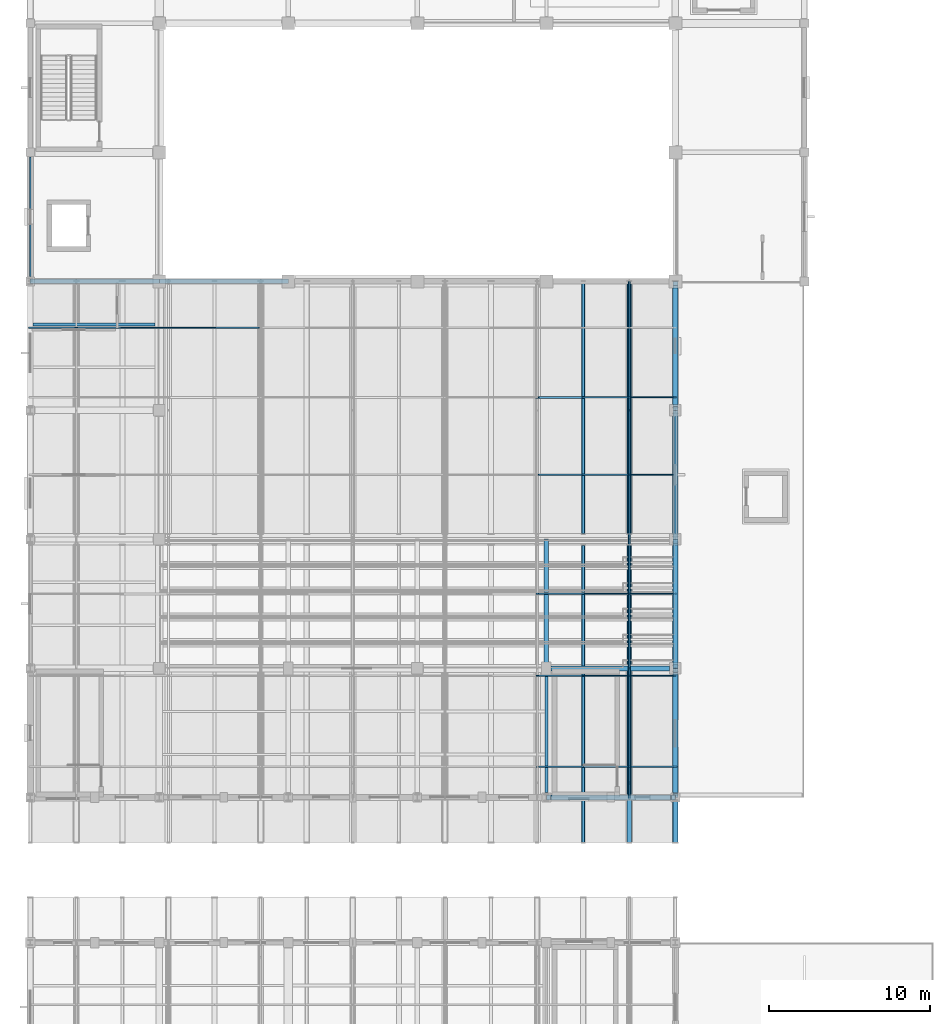
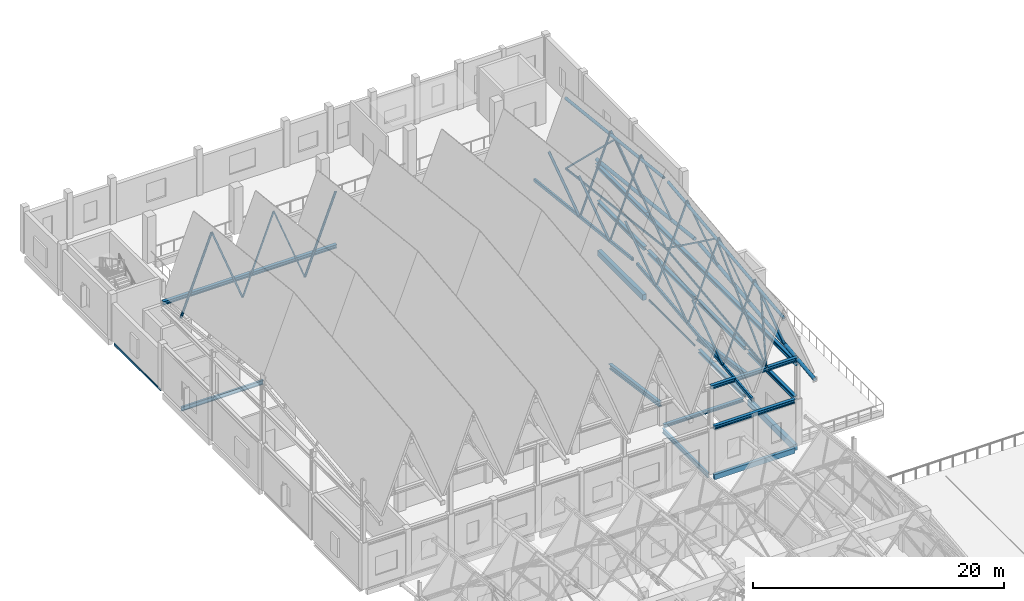
# One storey, part 18 of 77: 29 beams, 27 members.
"""IFC4 building model written with IfcOpenShell, lengths in metres."""

from ifc_helpers import new_model, si_unit, direction, frame, origin, origin_2d, place, context, subcontext, project, spatial, rectangle, hollow_rectangle, hollow_circle, i_section, extrude, material, material_profile, profile_set, type_object, element, save


model = new_model("IFC4")

# Units and contexts
model_context = context("Model", 3, precision=1e-05, world=origin(), true_north=direction((0.0, 1.0)))
body_context = subcontext(model_context, "Body", "Model", "MODEL_VIEW")
ifc_project = project(units=[si_unit("LENGTHUNIT", "METRE"), si_unit("AREAUNIT", "SQUARE_METRE"), si_unit("VOLUMEUNIT", "CUBIC_METRE"), si_unit("PLANEANGLEUNIT", "RADIAN"), si_unit("MASSUNIT", "GRAM", prefix="KILO")], contexts=[model_context])

# Site, building, storey
site_placement = place(None, origin())
site = spatial("IfcSite", under=ifc_project, at=site_placement, CompositionType="ELEMENT")
building_placement = place(site_placement, origin())
building = spatial("IfcBuilding", under=site, at=building_placement, Name="Luwemba Playhouse", CompositionType="ELEMENT")
storey_placement = place(building_placement, frame((0.0, 0.0, 9.300048828125)))
storey = spatial("IfcBuildingStorey", under=building, at=storey_placement, Name="L02", CompositionType="ELEMENT", Elevation=9.300048828125)

# Beams
ifc_material_1 = material(Name="Steel S355", Category="steel")
ifc_material_profile_1 = material_profile(ifc_material_1, i_section(OverallWidth=0.300048828125, OverallDepth=0.449951171875, WebThickness=0.013916015625, FlangeThickness=0.02587890625, FilletRadius=0.027099609375, at=origin_2d()))
ifc_profile_set_1 = profile_set([ifc_material_profile_1], Name="Steel S355")
beam_type_1 = type_object("IfcBeamType", Name="BM-RK2", PredefinedType="USERDEFINED", material=ifc_profile_set_1)
for number, where, z_axis, x_axis, name in (
    (1, (36.0, 44.0, 1.804931640625), (0.0, 0.990343904486, -0.138632430721), (-1.0, 0.0, 0.0), "RAKER girder Upper Circle 14"),
    (2, (44.0, 44.0, 1.804931640625), (0.0, 0.990343904486, -0.138632430721), (-1.0, 0.0, 0.0), "RAKER girder Upper Circle 15"),
):
    element("IfcBeam", number, at=place(storey_placement, frame(where, z_axis=z_axis, x_axis=x_axis)), inside=storey, type_object=beam_type_1, Name=name, ObjectType="RAKER", PredefinedType="USERDEFINED", context=body_context, shape_type="SweptSolid", body=[
        extrude(i_section(OverallWidth=0.300048828125, OverallDepth=0.449951171875, WebThickness=0.013916015625, FlangeThickness=0.02587890625, FilletRadius=0.027099609375, at=origin_2d()), origin(), (0.0, 0.0, 1.0), 8.077880859375),
    ])
ifc_material_profile_2 = material_profile(ifc_material_1, hollow_rectangle(XDim=0.199951171875, YDim=0.300048828125, WallThickness=0.012451171875, InnerFilletRadius=0.018798828125, OuterFilletRadius=0.03125, at=origin_2d()))
ifc_profile_set_2 = profile_set([ifc_material_profile_2], Name="Steel S355")
beam_type_2 = type_object("IfcBeamType", Name="BM-RTG2", PredefinedType="USERDEFINED", material=ifc_profile_set_2)
beam_1_placement = place(storey_placement, frame((38.28564453125, 33.199951171875, 7.975830078125), z_axis=(0.0, 0.993767403215, 0.111473531871), x_axis=(-1.0, 0.0, 0.0)))
element("IfcBeam", 3, at=beam_1_placement, inside=storey, type_object=beam_type_2, Name="ROOF TRUSS valley girder 0046", ObjectType="ROOF TRUSS", PredefinedType="USERDEFINED", context=body_context, shape_type="SweptSolid", body=[
    extrude(hollow_rectangle(XDim=0.199951171875, YDim=0.300048828125, WallThickness=0.012451171875, InnerFilletRadius=0.018798828125, OuterFilletRadius=0.03125, at=origin_2d()), origin(), (0.0, 0.0, 1.0), 18.565673828125),
])
beam_2_placement = place(storey_placement, frame((38.28564453125, 52.35009765625, 10.04541015625), z_axis=(0.0, 0.993768247759, -0.111466002643), x_axis=(-1.0, 0.0, 0.0)))
element("IfcBeam", 4, at=beam_2_placement, inside=storey, type_object=beam_type_2, Name="ROOF TRUSS valley girder 0047", ObjectType="ROOF TRUSS", PredefinedType="USERDEFINED", context=body_context, shape_type="SweptSolid", body=[
    extrude(hollow_rectangle(XDim=0.199951171875, YDim=0.300048828125, WallThickness=0.012451171875, InnerFilletRadius=0.018798828125, OuterFilletRadius=0.03125, at=origin_2d()), origin(), (0.0, 0.0, 1.0), 15.748046875),
])
ifc_material_profile_3 = material_profile(ifc_material_1, hollow_circle(Radius=0.136474609375, WallThickness=0.012451171875, at=origin_2d()))
ifc_profile_set_3 = profile_set([ifc_material_profile_3], Name="Steel S355")
beam_type_3 = type_object("IfcBeamType", Name="BM-RTG3", PredefinedType="USERDEFINED", material=ifc_profile_set_3)
beam_3_placement = place(storey_placement, frame((41.142822265625, 33.199951171875, 14.927001953125), z_axis=(0.0, 0.993767403215, 0.111473531871), x_axis=(-1.0, 0.0, 0.0)))
element("IfcBeam", 5, at=beam_3_placement, inside=storey, type_object=beam_type_3, Name="ROOF TRUSS ridge girder 0048", ObjectType="ROOF TRUSS", PredefinedType="USERDEFINED", context=body_context, shape_type="SweptSolid", body=[
    extrude(hollow_circle(Radius=0.136474609375, WallThickness=0.012451171875, at=origin_2d()), origin(), (0.0, 0.0, 1.0), 18.565673828125),
])
beam_4_placement = place(storey_placement, frame((41.142822265625, 52.35009765625, 16.99658203125), z_axis=(0.0, 0.993768247759, -0.111466002643), x_axis=(-1.0, 0.0, 0.0)))
element("IfcBeam", 6, at=beam_4_placement, inside=storey, type_object=beam_type_3, Name="ROOF TRUSS ridge girder 0049", ObjectType="ROOF TRUSS", PredefinedType="USERDEFINED", context=body_context, shape_type="SweptSolid", body=[
    extrude(hollow_circle(Radius=0.136474609375, WallThickness=0.012451171875, at=origin_2d()), origin(), (0.0, 0.0, 1.0), 15.748046875),
])
ifc_material_profile_4 = material_profile(ifc_material_1, hollow_circle(Radius=0.161865234375, WallThickness=0.01611328125, at=origin_2d()))
ifc_profile_set_4 = profile_set([ifc_material_profile_4], Name="Steel S355")
beam_type_4 = type_object("IfcBeamType", Name="BM-RTG4", PredefinedType="USERDEFINED", material=ifc_profile_set_4)
beam_5_placement = place(storey_placement, frame((44.0, 33.199951171875, 7.9638671875), z_axis=(0.0, 0.993767403215, 0.111473531871), x_axis=(-1.0, 0.0, 0.0)))
element("IfcBeam", 7, at=beam_5_placement, inside=storey, type_object=beam_type_4, Name="ROOF TRUSS valley girder 0050", ObjectType="ROOF TRUSS", PredefinedType="USERDEFINED", context=body_context, shape_type="SweptSolid", body=[
    extrude(hollow_circle(Radius=0.161865234375, WallThickness=0.01611328125, at=origin_2d()), origin(), (0.0, 0.0, 1.0), 18.565673828125),
])
beam_6_placement = place(storey_placement, frame((44.0, 52.35009765625, 10.033447265625), z_axis=(0.0, 0.993766530365, -0.111481312905), x_axis=(-1.0, 0.0, 0.0)))
element("IfcBeam", 8, at=beam_6_placement, inside=storey, type_object=beam_type_4, Name="ROOF TRUSS valley girder 0051", ObjectType="ROOF TRUSS", PredefinedType="USERDEFINED", context=body_context, shape_type="SweptSolid", body=[
    extrude(hollow_circle(Radius=0.161865234375, WallThickness=0.01611328125, at=origin_2d()), origin(), (0.0, 0.0, 1.0), 15.748046875),
])
ifc_material_profile_5 = material_profile(ifc_material_1, i_section(OverallWidth=0.300048828125, OverallDepth=0.2900390625, WebThickness=0.008544921875, FlangeThickness=0.013916015625, FilletRadius=0.027099609375, at=origin_2d()))
ifc_profile_set_5 = profile_set([ifc_material_profile_5], Name="Steel S355")
beam_type_5 = type_object("IfcBeamType", Name="BM-SB03", PredefinedType="BEAM", material=ifc_profile_set_5)
beam_7_placement = place(storey_placement, frame((36.300048828125, 44.0, -0.39501953125), z_axis=(1.0, 0.0, 0.0), x_axis=(0.0, 1.0, 0.0)))
element("IfcBeam", 9, at=beam_7_placement, inside=storey, type_object=beam_type_5, Name="L02 grid girder 0649", PredefinedType="BEAM", context=body_context, shape_type="SweptSolid", body=[
    extrude(i_section(OverallWidth=0.300048828125, OverallDepth=0.2900390625, WebThickness=0.008544921875, FlangeThickness=0.013916015625, FilletRadius=0.027099609375, at=origin_2d()), origin(), (0.0, 0.0, 1.0), 7.324951171875),
])
ifc_material_profile_6 = material_profile(ifc_material_1, i_section(OverallWidth=0.18994140625, OverallDepth=0.449951171875, WebThickness=0.009521484375, FlangeThickness=0.0146484375, FilletRadius=0.02099609375, at=origin_2d()))
ifc_profile_set_6 = profile_set([ifc_material_profile_6], Name="Steel S355")
beam_type_6 = type_object("IfcBeamType", Name="BM-SB06", PredefinedType="BEAM", material=ifc_profile_set_6)
beam_8_placement = place(storey_placement, frame((36.0, 36.300048828125, -0.47509765625), z_axis=(0.0, 1.0, 0.0), x_axis=(-1.0, 0.0, 0.0)))
element("IfcBeam", 10, at=beam_8_placement, inside=storey, type_object=beam_type_6, Name="L02 transverse girder 0664", PredefinedType="BEAM", context=body_context, shape_type="SweptSolid", body=[
    extrude(i_section(OverallWidth=0.18994140625, OverallDepth=0.449951171875, WebThickness=0.009521484375, FlangeThickness=0.0146484375, FilletRadius=0.02099609375, at=origin_2d()), origin(), (0.0, 0.0, 1.0), 7.300048828125),
])
ifc_material_profile_7 = material_profile(ifc_material_1, i_section(OverallWidth=0.300048828125, OverallDepth=0.360107421875, WebThickness=0.012451171875, FlangeThickness=0.0224609375, FilletRadius=0.027099609375, at=origin_2d()))
ifc_profile_set_7 = profile_set([ifc_material_profile_7], Name="Steel S355")
beam_type_7 = type_object("IfcBeamType", Name="BM-SB09", PredefinedType="BEAM", material=ifc_profile_set_7)
for number, where, z_axis, x_axis, name in (
    (11, (36.25, 36.0, 4.320068359375), (1.0, 0.0, 0.0), (0.0, 1.0, 0.0), "L02 V1 auditorium clerestory spandrel beam 09"),
    (12, (44.0, 36.25, 4.320068359375), (0.0, 1.0, 0.0), (-1.0, 0.0, 0.0), "L02 V1 auditorium clerestory spandrel beam 10"),
    (13, (44.0, 44.25, 4.320068359375), (0.0, 1.0, 0.0), (-1.0, 0.0, 0.0), "L02 V1 auditorium clerestory spandrel beam 11"),
    (14, (44.0, 52.25, 4.320068359375), (0.0, 1.0, 0.0), (-1.0, 0.0, 0.0), "L02 V1 auditorium clerestory spandrel beam 12"),
    (15, (44.0, 60.25, 4.320068359375), (0.0, 1.0, 0.0), (-1.0, 0.0, 0.0), "L02 V1 auditorium clerestory spandrel beam 13"),
):
    element("IfcBeam", number, at=place(storey_placement, frame(where, z_axis=z_axis, x_axis=x_axis)), inside=storey, type_object=beam_type_7, Name=name, PredefinedType="BEAM", context=body_context, shape_type="SweptSolid", body=[
        extrude(i_section(OverallWidth=0.300048828125, OverallDepth=0.360107421875, WebThickness=0.012451171875, FlangeThickness=0.0224609375, FilletRadius=0.027099609375, at=origin_2d()), origin(), (0.0, 0.0, 1.0), 7.5),
    ])
for number, where, z_axis, x_axis, name in (
    (16, (36.0, 36.0, 8.320068359375), (1.0, 0.0, 0.0), (0.0, 1.0, 0.0), "RF-V1 eave ring beam 0005"),
    (17, (4.0, 68.0, 8.320068359375), (1.0, 0.0, 0.0), (0.0, 1.0, 0.0), "RF-V1 eave ring beam 0006"),
    (18, (12.0, 68.0, 8.320068359375), (1.0, 0.0, 0.0), (0.0, 1.0, 0.0), "RF-V1 eave ring beam 0007"),
    (19, (44.0, 36.0, 7.780029296875), (0.0, 1.0, 0.0), (-1.0, 0.0, 0.0), "RF-V1 gable ring beam 0015"),
    (20, (44.0, 44.0, 7.780029296875), (0.0, 1.0, 0.0), (-1.0, 0.0, 0.0), "RF-V1 gable ring beam 0016"),
    (21, (44.0, 52.0, 7.780029296875), (0.0, 1.0, 0.0), (-1.0, 0.0, 0.0), "RF-V1 gable ring beam 0017"),
    (22, (44.0, 60.0, 7.780029296875), (0.0, 1.0, 0.0), (-1.0, 0.0, 0.0), "RF-V1 gable ring beam 0018"),
):
    element("IfcBeam", number, at=place(storey_placement, frame(where, z_axis=z_axis, x_axis=x_axis)), inside=storey, type_object=beam_type_7, Name=name, PredefinedType="BEAM", context=body_context, shape_type="SweptSolid", body=[
        extrude(i_section(OverallWidth=0.300048828125, OverallDepth=0.360107421875, WebThickness=0.012451171875, FlangeThickness=0.0224609375, FilletRadius=0.027099609375, at=origin_2d()), origin(), (0.0, 0.0, 1.0), 8.0),
    ])
ifc_material_profile_8 = material_profile(ifc_material_1, i_section(OverallWidth=0.179931640625, OverallDepth=0.39990234375, WebThickness=0.008544921875, FlangeThickness=0.013427734375, FilletRadius=0.02099609375, at=origin_2d()))
ifc_profile_set_8 = profile_set([ifc_material_profile_8], Name="Steel S355")
beam_type_8 = type_object("IfcBeamType", Name="BM-SJ08", PredefinedType="JOIST", material=ifc_profile_set_8)
beam_9_placement = place(storey_placement, frame((4.1708984375, 65.333251953125, -0.449951171875), z_axis=(1.0, 0.0, 0.0), x_axis=(0.0, 1.0, 0.0)))
element("IfcBeam", 23, at=beam_9_placement, inside=storey, type_object=beam_type_8, Name="L02 composite floor joist 0392", PredefinedType="JOIST", context=body_context, shape_type="SweptSolid", body=[
    extrude(i_section(OverallWidth=0.179931640625, OverallDepth=0.39990234375, WebThickness=0.008544921875, FlangeThickness=0.013427734375, FilletRadius=0.02099609375, at=origin_2d()), origin(), (0.0, 0.0, 1.0), 7.55810546875),
])
ifc_material_2 = material(Name="Concrete C40/50", Category="concrete")
ifc_material_profile_9 = material_profile(ifc_material_2, rectangle(XDim=0.300048828125, YDim=0.5, at=origin_2d()))
ifc_profile_set_9 = profile_set([ifc_material_profile_9], Name="Concrete C40/50")
beam_type_9 = type_object("IfcBeamType", Name="BM-SP1", PredefinedType="SPANDREL", material=ifc_profile_set_9)
beam_10_placement = place(storey_placement, frame((36.300048828125, 36.0, -0.5), z_axis=(1.0, 0.0, 0.0), x_axis=(0.0, 1.0, 0.0)))
element("IfcBeam", 24, at=beam_10_placement, inside=storey, type_object=beam_type_9, Name="L02 grid girder 0644", PredefinedType="SPANDREL", context=body_context, shape_type="SweptSolid", body=[
    extrude(rectangle(XDim=0.300048828125, YDim=0.5, at=origin_2d()), origin(), (0.0, 0.0, 1.0), 7.39990234375),
])
ifc_material_profile_10 = material_profile(ifc_material_2, rectangle(XDim=0.35009765625, YDim=0.550048828125, at=origin_2d()))
ifc_profile_set_10 = profile_set([ifc_material_profile_10], Name="Concrete C40/50")
beam_type_10 = type_object("IfcBeamType", Name="BM-SP2", PredefinedType="SPANDREL", material=ifc_profile_set_10)
beam_11_placement = place(storey_placement, frame((44.0, 60.375, -0.525146484375), z_axis=(0.0, 1.0, 0.0), x_axis=(-1.0, 0.0, 0.0)))
element("IfcBeam", 25, at=beam_11_placement, inside=storey, type_object=beam_type_10, Name="L02 transverse girder 0668", PredefinedType="SPANDREL", context=body_context, shape_type="SweptSolid", body=[
    extrude(rectangle(XDim=0.35009765625, YDim=0.550048828125, at=origin_2d()), origin(), (0.0, 0.0, 1.0), 7.199951171875),
])
ifc_material_profile_11 = material_profile(ifc_material_2, rectangle(XDim=0.35009765625, YDim=0.60009765625, at=origin_2d()))
ifc_profile_set_11 = profile_set([ifc_material_profile_11], Name="Concrete C40/50")
beam_type_11 = type_object("IfcBeamType", Name="BM-SP3", PredefinedType="SPANDREL", material=ifc_profile_set_11)
beam_12_placement = place(storey_placement, frame((44.0, 36.300048828125, -0.550048828125), z_axis=(0.0, 1.0, 0.0), x_axis=(-1.0, 0.0, 0.0)))
element("IfcBeam", 26, at=beam_12_placement, inside=storey, type_object=beam_type_11, Name="L02 transverse girder 0665", PredefinedType="SPANDREL", context=body_context, shape_type="SweptSolid", body=[
    extrude(rectangle(XDim=0.35009765625, YDim=0.60009765625, at=origin_2d()), origin(), (0.0, 0.0, 1.0), 7.324951171875),
])
ifc_material_profile_12 = material_profile(ifc_material_1, i_section(OverallWidth=0.300048828125, OverallDepth=0.300048828125, WebThickness=0.010986328125, FlangeThickness=0.01904296875, FilletRadius=0.027099609375, at=origin_2d()))
ifc_profile_set_12 = profile_set([ifc_material_profile_12], Name="Steel S355")
beam_type_12 = type_object("IfcBeamType", Name="BM-SSP1", PredefinedType="SPANDREL", material=ifc_profile_set_12)
beam_13_placement = place(storey_placement, frame((44.0, 44.375, -0.400146484375), z_axis=(0.0, 1.0, 0.0), x_axis=(-1.0, 0.0, 0.0)))
element("IfcBeam", 27, at=beam_13_placement, inside=storey, type_object=beam_type_12, Name="L02 transverse girder 0666", PredefinedType="SPANDREL", context=body_context, shape_type="SweptSolid", body=[
    extrude(i_section(OverallWidth=0.300048828125, OverallDepth=0.300048828125, WebThickness=0.010986328125, FlangeThickness=0.01904296875, FilletRadius=0.027099609375, at=origin_2d()), origin(), (0.0, 0.0, 1.0), 7.25),
])
ifc_material_profile_13 = material_profile(ifc_material_1, hollow_rectangle(XDim=0.10009765625, YDim=0.199951171875, WallThickness=0.008056640625, InnerFilletRadius=0.011962890625, OuterFilletRadius=0.02001953125, at=origin_2d()))
ifc_profile_set_13 = profile_set([ifc_material_profile_13], Name="Steel S355")
beam_type_13 = type_object("IfcBeamType", Name="BM-SSP2", PredefinedType="SPANDREL", material=ifc_profile_set_13)
beam_14_placement = place(storey_placement, frame((44.0, 52.375, -0.35009765625), z_axis=(0.0, 1.0, 0.0), x_axis=(-1.0, 0.0, 0.0)))
element("IfcBeam", 28, at=beam_14_placement, inside=storey, type_object=beam_type_13, Name="L02 transverse girder 0667", PredefinedType="SPANDREL", context=body_context, shape_type="SweptSolid", body=[
    extrude(hollow_rectangle(XDim=0.10009765625, YDim=0.199951171875, WallThickness=0.008056640625, InnerFilletRadius=0.011962890625, OuterFilletRadius=0.02001953125, at=origin_2d()), origin(), (0.0, 0.0, 1.0), 7.25),
])
beam_15_placement = place(storey_placement, frame((4.0, 68.300048828125, -0.35009765625), z_axis=(0.0, 1.0, 0.0), x_axis=(-1.0, 0.0, 0.0)))
element("IfcBeam", 29, at=beam_15_placement, inside=storey, type_object=beam_type_13, Name="L02 transverse girder 0683", PredefinedType="SPANDREL", context=body_context, shape_type="SweptSolid", body=[
    extrude(hollow_rectangle(XDim=0.10009765625, YDim=0.199951171875, WallThickness=0.008056640625, InnerFilletRadius=0.011962890625, OuterFilletRadius=0.02001953125, at=origin_2d()), origin(), (0.0, 0.0, 1.0), 7.39990234375),
])

# Members
ifc_material_profile_14 = material_profile(ifc_material_1, hollow_rectangle(XDim=0.139892578125, YDim=0.139892578125, WallThickness=0.008056640625, InnerFilletRadius=0.011962890625, OuterFilletRadius=0.02001953125, at=origin_2d()))
ifc_profile_set_14 = profile_set([ifc_material_profile_14], Name="Steel S355")
member_type_1 = type_object("IfcMemberType", Name="MEM-MB07", PredefinedType="BRACE", material=ifc_profile_set_14)
member_1_placement = place(storey_placement, frame((41.142822265625, 36.0, 8.39990234375), z_axis=(0.0, 0.718755230933, 0.695263200527), x_axis=(-1.0, 0.0, 0.0)))
element("IfcMember", 30, at=member_1_placement, inside=storey, type_object=member_type_1, Name="ROOF TRUSS web diagonal 0039", PredefinedType="BRACE", context=body_context, shape_type="SweptSolid", body=[
    extrude(hollow_rectangle(XDim=0.139892578125, YDim=0.139892578125, WallThickness=0.008056640625, InnerFilletRadius=0.011962890625, OuterFilletRadius=0.02001953125, at=origin_2d()), origin(), (0.0, 0.0, 1.0), 11.13037109375),
])
for number, where, z_axis, x_axis, name in (
    (31, (41.142822265625, 52.0, 10.314697265625), (0.0, -0.808469271153, 0.588538390933), (1.0, 0.0, 0.0), "ROOF TRUSS web diagonal 0040"),
    (32, (41.142822265625, 52.0, 10.314697265625), (0.0, 0.808469271153, 0.588538390933), (-1.0, 0.0, 0.0), "ROOF TRUSS web diagonal 0041"),
):
    element("IfcMember", number, at=place(storey_placement, frame(where, z_axis=z_axis, x_axis=x_axis)), inside=storey, type_object=member_type_1, Name=name, PredefinedType="BRACE", context=body_context, shape_type="SweptSolid", body=[
        extrude(hollow_rectangle(XDim=0.139892578125, YDim=0.139892578125, WallThickness=0.008056640625, InnerFilletRadius=0.011962890625, OuterFilletRadius=0.02001953125, at=origin_2d()), origin(), (0.0, 0.0, 1.0), 9.895263671875),
    ])
member_2_placement = place(storey_placement, frame((41.142822265625, 68.0, 8.39990234375), z_axis=(0.0, -0.718755230933, 0.695263200527), x_axis=(1.0, 0.0, 0.0)))
element("IfcMember", 33, at=member_2_placement, inside=storey, type_object=member_type_1, Name="ROOF TRUSS web diagonal 0042", PredefinedType="BRACE", context=body_context, shape_type="SweptSolid", body=[
    extrude(hollow_rectangle(XDim=0.139892578125, YDim=0.139892578125, WallThickness=0.008056640625, InnerFilletRadius=0.011962890625, OuterFilletRadius=0.02001953125, at=origin_2d()), origin(), (0.0, 0.0, 1.0), 11.13037109375),
])
member_3_placement = place(storey_placement, frame((41.142822265625, 36.0, 8.39990234375), z_axis=(0.0, 0.128553393461, 0.991702589), x_axis=(-1.0, 0.0, 0.0)))
element("IfcMember", 34, at=member_3_placement, inside=storey, type_object=member_type_1, Name="ROOF TRUSS eave knee strut 0007", PredefinedType="BRACE", context=body_context, shape_type="SweptSolid", body=[
    extrude(hollow_rectangle(XDim=0.139892578125, YDim=0.139892578125, WallThickness=0.008056640625, InnerFilletRadius=0.011962890625, OuterFilletRadius=0.02001953125, at=origin_2d()), origin(), (0.0, 0.0, 1.0), 7.000244140625),
])
ifc_material_profile_15 = material_profile(ifc_material_1, hollow_rectangle(XDim=0.1201171875, YDim=0.199951171875, WallThickness=0.010009765625, InnerFilletRadius=0.014892578125, OuterFilletRadius=0.02490234375, at=origin_2d()))
ifc_profile_set_15 = profile_set([ifc_material_profile_15], Name="Steel S355")
member_type_2 = type_object("IfcMemberType", Name="MEM-MC05", PredefinedType="CHORD", material=ifc_profile_set_15)
for number, where, z_axis, x_axis, name in (
    (35, (41.142822265625, 36.0, 8.39990234375), (0.0, 0.992914998684, 0.118826787333), (-1.0, 0.0, 0.0), "ROOF TRUSS south bottom chord 0037"),
    (36, (41.142822265625, 52.0, 10.314697265625), (0.0, 0.992914998684, -0.118826787333), (-1.0, 0.0, 0.0), "ROOF TRUSS north bottom chord 0038"),
):
    element("IfcMember", number, at=place(storey_placement, frame(where, z_axis=z_axis, x_axis=x_axis)), inside=storey, type_object=member_type_2, Name=name, PredefinedType="CHORD", context=body_context, shape_type="SweptSolid", body=[
        extrude(hollow_rectangle(XDim=0.1201171875, YDim=0.199951171875, WallThickness=0.010009765625, InnerFilletRadius=0.014892578125, OuterFilletRadius=0.02490234375, at=origin_2d()), origin(), (0.0, 0.0, 1.0), 16.1142578125),
    ])
ifc_material_profile_16 = material_profile(ifc_material_1, hollow_rectangle(XDim=0.080078125, YDim=0.1201171875, WallThickness=0.00634765625, InnerFilletRadius=0.009521484375, OuterFilletRadius=0.015869140625, at=origin_2d()))
ifc_profile_set_16 = profile_set([ifc_material_profile_16], Name="Steel S355")
member_type_3 = type_object("IfcMemberType", Name="MEM-MP01", PredefinedType="PURLIN", material=ifc_profile_set_16)
member_4_placement = place(storey_placement, frame((12.5712890625, 65.1201171875, 16.009765625), z_axis=(0.35998260376, 0.0, -0.932959015708), x_axis=(0.0, 1.0, 0.0)))
element("IfcMember", 37, at=member_4_placement, inside=storey, type_object=member_type_3, Name="Pleated roof purlin 0024", PredefinedType="PURLIN", context=body_context, shape_type="SweptSolid", body=[
    extrude(hollow_rectangle(XDim=0.080078125, YDim=0.1201171875, WallThickness=0.00634765625, InnerFilletRadius=0.009521484375, OuterFilletRadius=0.015869140625, at=origin_2d()), origin(), (0.0, 0.0, 1.0), 7.937744140625),
])
member_5_placement = place(storey_placement, frame((41.142822265625, 43.5400390625, 16.5322265625), z_axis=(0.359966161358, 0.0, -0.932965359849), x_axis=(0.0, 1.0, 0.0)))
element("IfcMember", 38, at=member_5_placement, inside=storey, type_object=member_type_3, Name="Pleated roof purlin 0080", PredefinedType="PURLIN", context=body_context, shape_type="SweptSolid", body=[
    extrude(hollow_rectangle(XDim=0.080078125, YDim=0.1201171875, WallThickness=0.00634765625, InnerFilletRadius=0.009521484375, OuterFilletRadius=0.015869140625, at=origin_2d()), origin(), (0.0, 0.0, 1.0), 7.937255859375),
])
ifc_material_profile_17 = material_profile(ifc_material_1, hollow_rectangle(XDim=0.10009765625, YDim=0.14990234375, WallThickness=0.008056640625, InnerFilletRadius=0.011962890625, OuterFilletRadius=0.02001953125, at=origin_2d()))
ifc_profile_set_17 = profile_set([ifc_material_profile_17], Name="Steel S355")
member_type_4 = type_object("IfcMemberType", Name="MEM-MP02", PredefinedType="PURLIN", material=ifc_profile_set_17)
member_6_placement = place(storey_placement, frame((38.28564453125, 37.89990234375, 8.453369140625), z_axis=(0.359955831838, 0.0, 0.932969345223), x_axis=(0.0, 1.0, 0.0)))
element("IfcMember", 39, at=member_6_placement, inside=storey, type_object=member_type_4, Name="Pleated roof purlin 0073", PredefinedType="PURLIN", context=body_context, shape_type="SweptSolid", body=[
    extrude(hollow_rectangle(XDim=0.10009765625, YDim=0.14990234375, WallThickness=0.008056640625, InnerFilletRadius=0.011962890625, OuterFilletRadius=0.02001953125, at=origin_2d()), origin(), (0.0, 0.0, 1.0), 7.9375),
])
member_7_placement = place(storey_placement, frame((41.142822265625, 48.615966796875, 17.060546875), z_axis=(0.359976491426, 0.0, -0.932961374131), x_axis=(0.0, 1.0, 0.0)))
element("IfcMember", 40, at=member_7_placement, inside=storey, type_object=member_type_4, Name="Pleated roof purlin 0081", PredefinedType="PURLIN", context=body_context, shape_type="SweptSolid", body=[
    extrude(hollow_rectangle(XDim=0.10009765625, YDim=0.14990234375, WallThickness=0.008056640625, InnerFilletRadius=0.011962890625, OuterFilletRadius=0.02001953125, at=origin_2d()), origin(), (0.0, 0.0, 1.0), 7.93701171875),
])
ifc_material_profile_18 = material_profile(ifc_material_1, hollow_rectangle(XDim=0.080078125, YDim=0.159912109375, WallThickness=0.00634765625, InnerFilletRadius=0.009521484375, OuterFilletRadius=0.015869140625, at=origin_2d()))
ifc_profile_set_18 = profile_set([ifc_material_profile_18], Name="Steel S355")
member_type_5 = type_object("IfcMemberType", Name="MEM-MP03", PredefinedType="PURLIN", material=ifc_profile_set_18)
member_8_placement = place(storey_placement, frame((9.71435546875, 65.1201171875, 8.58447265625), z_axis=(0.359949717536, 0.0, 0.932971704204), x_axis=(0.0, 1.0, 0.0)))
element("IfcMember", 41, at=member_8_placement, inside=storey, type_object=member_type_5, Name="Pleated roof purlin 0018", PredefinedType="PURLIN", context=body_context, shape_type="SweptSolid", body=[
    extrude(hollow_rectangle(XDim=0.080078125, YDim=0.159912109375, WallThickness=0.00634765625, InnerFilletRadius=0.009521484375, OuterFilletRadius=0.015869140625, at=origin_2d()), origin(), (0.0, 0.0, 1.0), 7.93701171875),
])
member_9_placement = place(storey_placement, frame((38.28564453125, 43.5400390625, 9.10693359375), z_axis=(0.359955831838, 0.0, 0.932969345223), x_axis=(0.0, 1.0, 0.0)))
element("IfcMember", 42, at=member_9_placement, inside=storey, type_object=member_type_5, Name="Pleated roof purlin 0074", PredefinedType="PURLIN", context=body_context, shape_type="SweptSolid", body=[
    extrude(hollow_rectangle(XDim=0.080078125, YDim=0.159912109375, WallThickness=0.00634765625, InnerFilletRadius=0.009521484375, OuterFilletRadius=0.015869140625, at=origin_2d()), origin(), (0.0, 0.0, 1.0), 7.9375),
])
member_10_placement = place(storey_placement, frame((41.142822265625, 56.0, 17.012451171875), z_axis=(0.359976491426, 0.0, -0.932961374131), x_axis=(0.0, 1.0, 0.0)))
element("IfcMember", 43, at=member_10_placement, inside=storey, type_object=member_type_5, Name="Pleated roof purlin 0082", PredefinedType="PURLIN", context=body_context, shape_type="SweptSolid", body=[
    extrude(hollow_rectangle(XDim=0.080078125, YDim=0.159912109375, WallThickness=0.00634765625, InnerFilletRadius=0.009521484375, OuterFilletRadius=0.015869140625, at=origin_2d()), origin(), (0.0, 0.0, 1.0), 7.93701171875),
])
ifc_material_profile_19 = material_profile(ifc_material_1, hollow_rectangle(XDim=0.10009765625, YDim=0.179931640625, WallThickness=0.008056640625, InnerFilletRadius=0.011962890625, OuterFilletRadius=0.02001953125, at=origin_2d()))
ifc_profile_set_19 = profile_set([ifc_material_profile_19], Name="Steel S355")
member_type_6 = type_object("IfcMemberType", Name="MEM-MP04", PredefinedType="PURLIN", material=ifc_profile_set_19)
member_11_placement = place(storey_placement, frame((35.4287109375, 37.89990234375, 15.84375), z_axis=(0.359939388007, 0.0, -0.932975689373), x_axis=(0.0, 1.0, 0.0)))
element("IfcMember", 44, at=member_11_placement, inside=storey, type_object=member_type_6, Name="Pleated roof purlin 0067", PredefinedType="PURLIN", context=body_context, shape_type="SweptSolid", body=[
    extrude(hollow_rectangle(XDim=0.10009765625, YDim=0.179931640625, WallThickness=0.008056640625, InnerFilletRadius=0.011962890625, OuterFilletRadius=0.02001953125, at=origin_2d()), origin(), (0.0, 0.0, 1.0), 7.937255859375),
])
member_12_placement = place(storey_placement, frame((38.28564453125, 48.615966796875, 9.640380859375), z_axis=(0.359955831838, 0.0, 0.932969345223), x_axis=(0.0, 1.0, 0.0)))
element("IfcMember", 45, at=member_12_placement, inside=storey, type_object=member_type_6, Name="Pleated roof purlin 0075", PredefinedType="PURLIN", context=body_context, shape_type="SweptSolid", body=[
    extrude(hollow_rectangle(XDim=0.10009765625, YDim=0.179931640625, WallThickness=0.008056640625, InnerFilletRadius=0.011962890625, OuterFilletRadius=0.02001953125, at=origin_2d()), origin(), (0.0, 0.0, 1.0), 7.9375),
])
member_13_placement = place(storey_placement, frame((41.142822265625, 60.800048828125, 16.438232421875), z_axis=(0.359966161358, 0.0, -0.932965359849), x_axis=(0.0, 1.0, 0.0)))
element("IfcMember", 46, at=member_13_placement, inside=storey, type_object=member_type_6, Name="Pleated roof purlin 0083", PredefinedType="PURLIN", context=body_context, shape_type="SweptSolid", body=[
    extrude(hollow_rectangle(XDim=0.10009765625, YDim=0.179931640625, WallThickness=0.008056640625, InnerFilletRadius=0.011962890625, OuterFilletRadius=0.02001953125, at=origin_2d()), origin(), (0.0, 0.0, 1.0), 7.937255859375),
])
ifc_material_profile_20 = material_profile(ifc_material_1, i_section(OverallWidth=0.08203125, OverallDepth=0.159912109375, WebThickness=0.0048828125, FlangeThickness=0.00732421875, FilletRadius=0.009033203125, at=origin_2d()))
ifc_profile_set_20 = profile_set([ifc_material_profile_20], Name="Steel S355")
member_type_7 = type_object("IfcMemberType", Name="MEM-MP05", PredefinedType="PURLIN", material=ifc_profile_set_20)
member_14_placement = place(storey_placement, frame((6.857177734375, 65.1201171875, 15.987060546875), z_axis=(0.359955831838, 0.0, -0.932969345223), x_axis=(0.0, 1.0, 0.0)))
element("IfcMember", 47, at=member_14_placement, inside=storey, type_object=member_type_7, Name="Pleated roof purlin 0012", PredefinedType="PURLIN", context=body_context, shape_type="SweptSolid", body=[
    extrude(i_section(OverallWidth=0.08203125, OverallDepth=0.159912109375, WebThickness=0.0048828125, FlangeThickness=0.00732421875, FilletRadius=0.009033203125, at=origin_2d()), origin(), (0.0, 0.0, 1.0), 7.9375),
])
member_15_placement = place(storey_placement, frame((35.4287109375, 43.5400390625, 16.509765625), z_axis=(0.359939388007, 0.0, -0.932975689373), x_axis=(0.0, 1.0, 0.0)))
element("IfcMember", 48, at=member_15_placement, inside=storey, type_object=member_type_7, Name="Pleated roof purlin 0068", PredefinedType="PURLIN", context=body_context, shape_type="SweptSolid", body=[
    extrude(i_section(OverallWidth=0.08203125, OverallDepth=0.159912109375, WebThickness=0.0048828125, FlangeThickness=0.00732421875, FilletRadius=0.009033203125, at=origin_2d()), origin(), (0.0, 0.0, 1.0), 7.937255859375),
])
member_16_placement = place(storey_placement, frame((38.28564453125, 56.0, 9.604736328125), z_axis=(0.359955831838, 0.0, 0.932969345223), x_axis=(0.0, 1.0, 0.0)))
element("IfcMember", 49, at=member_16_placement, inside=storey, type_object=member_type_7, Name="Pleated roof purlin 0076", PredefinedType="PURLIN", context=body_context, shape_type="SweptSolid", body=[
    extrude(i_section(OverallWidth=0.08203125, OverallDepth=0.159912109375, WebThickness=0.0048828125, FlangeThickness=0.00732421875, FilletRadius=0.009033203125, at=origin_2d()), origin(), (0.0, 0.0, 1.0), 7.9375),
])
ifc_material_profile_21 = material_profile(ifc_material_1, i_section(OverallWidth=0.091064453125, OverallDepth=0.179931640625, WebThickness=0.00537109375, FlangeThickness=0.008056640625, FilletRadius=0.009033203125, at=origin_2d()))
ifc_profile_set_21 = profile_set([ifc_material_profile_21], Name="Steel S355")
member_type_8 = type_object("IfcMemberType", Name="MEM-MP06", PredefinedType="PURLIN", material=ifc_profile_set_21)
for number, where, z_axis, x_axis, name in (
    (50, (35.4287109375, 48.615966796875, 17.057373046875), (0.359939388007, 0.0, -0.932975689373), (0.0, 1.0, 0.0), "Pleated roof purlin 0069"),
    (51, (38.28564453125, 60.800048828125, 9.044677734375), (0.359966161358, 0.0, 0.932965359849), (0.0, 1.0, 0.0), "Pleated roof purlin 0077"),
):
    element("IfcMember", number, at=place(storey_placement, frame(where, z_axis=z_axis, x_axis=x_axis)), inside=storey, type_object=member_type_8, Name=name, PredefinedType="PURLIN", context=body_context, shape_type="SweptSolid", body=[
        extrude(i_section(OverallWidth=0.091064453125, OverallDepth=0.179931640625, WebThickness=0.00537109375, FlangeThickness=0.008056640625, FilletRadius=0.009033203125, at=origin_2d()), origin(), (0.0, 0.0, 1.0), 7.937255859375),
    ])
ifc_material_profile_22 = material_profile(ifc_material_1, i_section(OverallWidth=0.10009765625, OverallDepth=0.199951171875, WebThickness=0.005615234375, FlangeThickness=0.008544921875, FilletRadius=0.011962890625, at=origin_2d()))
ifc_profile_set_22 = profile_set([ifc_material_profile_22], Name="Steel S355")
member_type_9 = type_object("IfcMemberType", Name="MEM-MP07", PredefinedType="PURLIN", material=ifc_profile_set_22)
for number, where, z_axis, x_axis, name in (
    (52, (4.0, 65.1201171875, 8.538330078125), (0.359966161358, 0.0, 0.932965359849), (0.0, 1.0, 0.0), "Pleated roof purlin 0006"),
    (53, (15.4287109375, 65.1201171875, 8.538330078125), (0.359939388007, 0.0, 0.932975689373), (0.0, 1.0, 0.0), "Pleated roof purlin 0030"),
):
    element("IfcMember", number, at=place(storey_placement, frame(where, z_axis=z_axis, x_axis=x_axis)), inside=storey, type_object=member_type_9, Name=name, PredefinedType="PURLIN", context=body_context, shape_type="SweptSolid", body=[
        extrude(i_section(OverallWidth=0.10009765625, OverallDepth=0.199951171875, WebThickness=0.005615234375, FlangeThickness=0.008544921875, FilletRadius=0.011962890625, at=origin_2d()), origin(), (0.0, 0.0, 1.0), 7.937255859375),
    ])
member_17_placement = place(storey_placement, frame((35.4287109375, 56.0, 16.966552734375), z_axis=(0.359949717536, 0.0, -0.932971704204), x_axis=(0.0, 1.0, 0.0)))
element("IfcMember", 54, at=member_17_placement, inside=storey, type_object=member_type_9, Name="Pleated roof purlin 0070", PredefinedType="PURLIN", context=body_context, shape_type="SweptSolid", body=[
    extrude(i_section(OverallWidth=0.10009765625, OverallDepth=0.199951171875, WebThickness=0.005615234375, FlangeThickness=0.008544921875, FilletRadius=0.011962890625, at=origin_2d()), origin(), (0.0, 0.0, 1.0), 7.93701171875),
])
ifc_material_profile_23 = material_profile(ifc_material_1, i_section(OverallWidth=0.110107421875, OverallDepth=0.219970703125, WebThickness=0.005859375, FlangeThickness=0.00927734375, FilletRadius=0.011962890625, at=origin_2d()))
ifc_profile_set_23 = profile_set([ifc_material_profile_23], Name="Steel S355")
member_type_10 = type_object("IfcMemberType", Name="MEM-MP08", PredefinedType="PURLIN", material=ifc_profile_set_23)
for number, where, z_axis, x_axis, name in (
    (55, (35.4287109375, 60.800048828125, 16.4052734375), (0.359939388007, 0.0, -0.932975689373), (0.0, 1.0, 0.0), "Pleated roof purlin 0071"),
    (56, (41.142822265625, 37.89990234375, 15.810791015625), (0.359966161358, 0.0, -0.932965359849), (0.0, 1.0, 0.0), "Pleated roof purlin 0079"),
):
    element("IfcMember", number, at=place(storey_placement, frame(where, z_axis=z_axis, x_axis=x_axis)), inside=storey, type_object=member_type_10, Name=name, PredefinedType="PURLIN", context=body_context, shape_type="SweptSolid", body=[
        extrude(i_section(OverallWidth=0.110107421875, OverallDepth=0.219970703125, WebThickness=0.005859375, FlangeThickness=0.00927734375, FilletRadius=0.011962890625, at=origin_2d()), origin(), (0.0, 0.0, 1.0), 7.937255859375),
    ])

save(model, "model.ifc")
